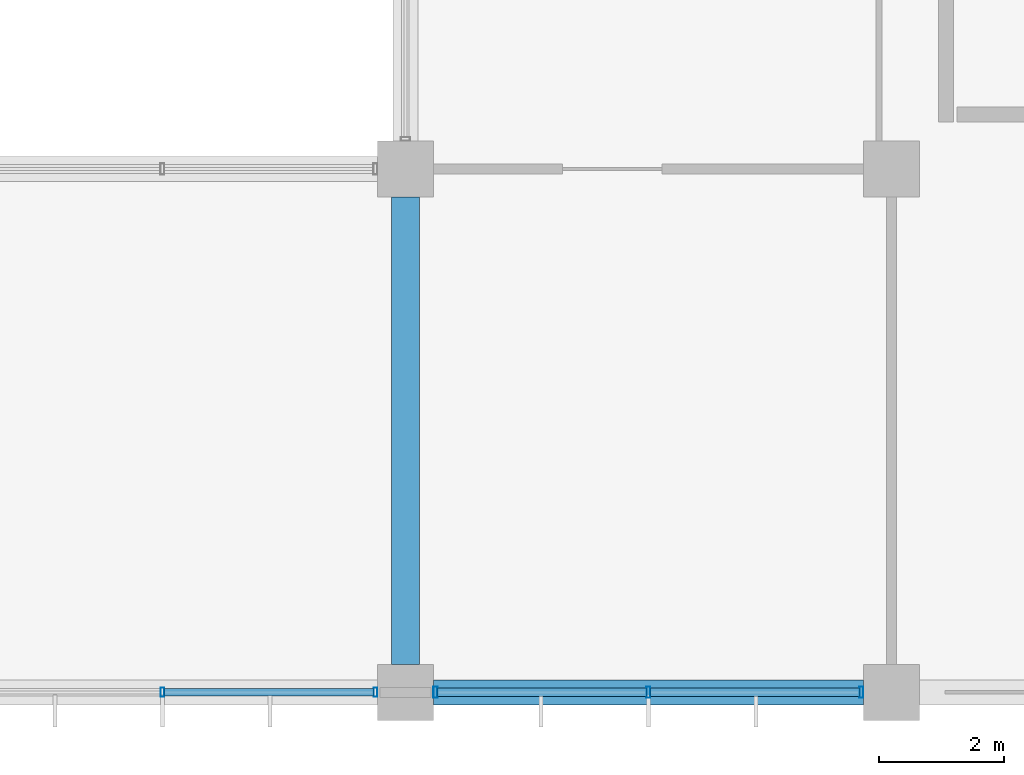
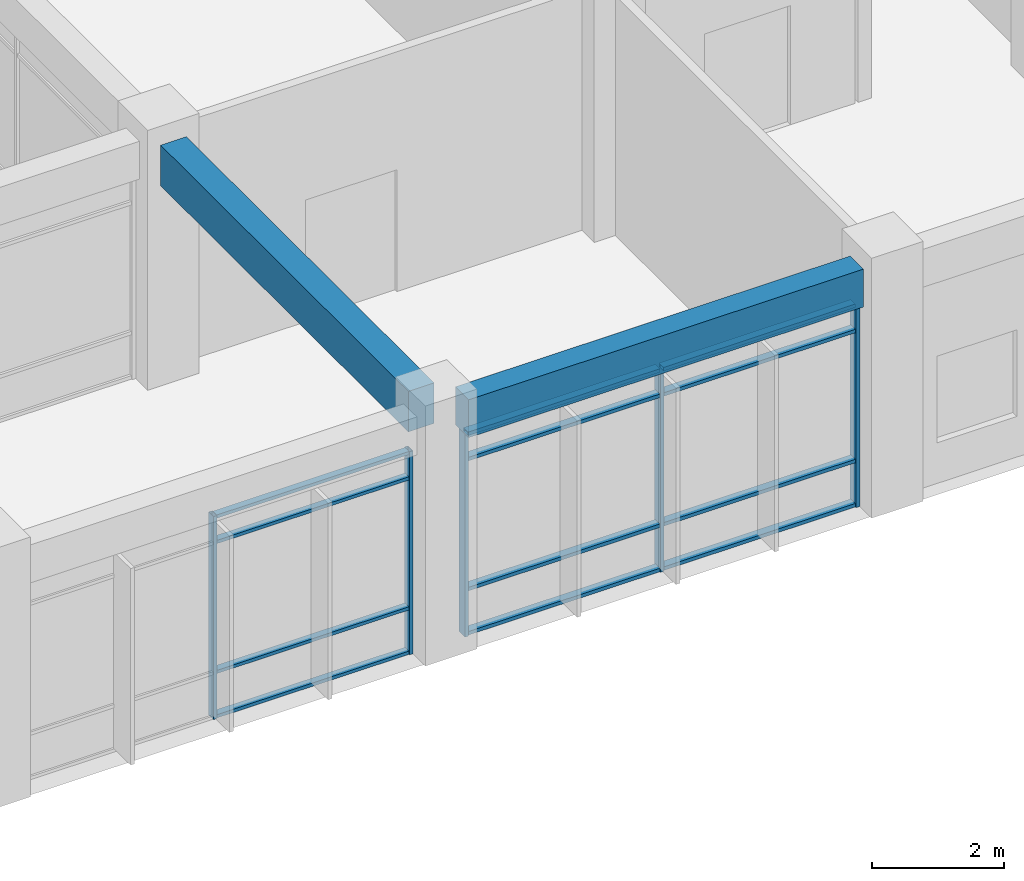
# One storey, part 35 of 79: 17 members, 2 beams, 2 elements without a shape of their own.
"""IFC4 building model written with IfcOpenShell, lengths in metres."""

from ifc_helpers import new_model, si_unit, direction, frame, origin, origin_2d, place, context, subcontext, project, spatial, rectangle, hollow_rectangle, extrude, material, material_profile, profile_set, type_object, element, aggregate, save


model = new_model("IFC4")

# Units and contexts
model_context = context("Model", 3, precision=1e-05, world=origin(), true_north=direction((0.0, 1.0)))
body_context = subcontext(model_context, "Body", "Model", "MODEL_VIEW")
ifc_project = project(units=[si_unit("LENGTHUNIT", "METRE"), si_unit("AREAUNIT", "SQUARE_METRE"), si_unit("VOLUMEUNIT", "CUBIC_METRE"), si_unit("PLANEANGLEUNIT", "RADIAN"), si_unit("MASSUNIT", "GRAM", prefix="KILO"), si_unit("THERMODYNAMICTEMPERATUREUNIT", "KELVIN"), si_unit("POWERUNIT", "WATT")], contexts=[model_context])

# Site, building, storey
site_placement = place(None, origin())
site = spatial("IfcSite", under=ifc_project, at=site_placement, CompositionType="ELEMENT")
building_placement = place(site_placement, origin())
building = spatial("IfcBuilding", under=site, at=building_placement, Name="Srebrne Nadtorze General Hospital", CompositionType="ELEMENT")
storey_placement = place(building_placement, frame((0.0, 0.0, 4.800048828125)))
storey = spatial("IfcBuildingStorey", under=building, at=storey_placement, Name="L01", CompositionType="ELEMENT", Elevation=4.800048828125)

# Curtain wall, members
ifc_material_1 = material(Name="Anodised Aluminium", Category="aluminium")
curtain_wall_type = type_object("IfcCurtainWallType", Name="Unitised curtain wall 6900x3750", PredefinedType="NOTDEFINED", material=ifc_material_1)
curtain_wall_1_placement = place(storey_placement, origin())
curtain_wall_1 = element("IfcCurtainWall", 1, at=curtain_wall_1_placement, inside=storey, type_object=curtain_wall_type, Name="Curtain wall CW-038", PredefinedType="NOTDEFINED")
ifc_material_2 = material(Name="Anodised Aluminium", Category="aluminium")
ifc_material_profile_1 = material_profile(ifc_material_2, hollow_rectangle(XDim=0.06005859375, YDim=0.14990234375, WallThickness=0.00390625, at=origin_2d()), Name="AL-MUL-60x150")
ifc_profile_set_1 = profile_set([ifc_material_profile_1], Name="Anodised Aluminium")
member_type_1 = type_object("IfcMemberType", Name="Curtain mullion 60x150", PredefinedType="MULLION", material=ifc_profile_set_1)
member_1_placement = place(storey_placement, frame((128.699951171875, 0.0, 0.0), z_axis=(0.0, 0.0, 1.0), x_axis=(1.0, 0.0, 0.0)))
member_1 = element("IfcMember", 2, at=member_1_placement, type_object=member_type_1, Name="CW-038 mullion 2", PredefinedType="MULLION", context=body_context, shape_type="SweptSolid", body=[
    extrude(hollow_rectangle(XDim=0.06005859375, YDim=0.14990234375, WallThickness=0.00390625, at=origin_2d()), origin(), (0.0, 0.0, 1.0), 3.75),
])
member_2_placement = place(storey_placement, frame((132.1201171875, 0.0, 0.0), z_axis=(0.0, 0.0, 1.0), x_axis=(1.0, 0.0, 0.0)))
member_2 = element("IfcMember", 3, at=member_2_placement, type_object=member_type_1, Name="CW-038 mullion 3", PredefinedType="MULLION", context=body_context, shape_type="SweptSolid", body=[
    extrude(hollow_rectangle(XDim=0.06005859375, YDim=0.14990234375, WallThickness=0.00390625, at=origin_2d()), origin(), (0.0, 0.0, 1.0), 3.75),
])

curtain_wall_2_placement = place(storey_placement, origin())
curtain_wall_2 = element("IfcCurtainWall", 4, at=curtain_wall_2_placement, inside=storey, type_object=curtain_wall_type, Name="Curtain wall CW-039", PredefinedType="NOTDEFINED")
ifc_material_3 = material(Name="Anodised Aluminium", Category="aluminium")
ifc_material_profile_2 = material_profile(ifc_material_3, hollow_rectangle(XDim=0.06494140625, YDim=0.179931640625, WallThickness=0.00390625, at=origin_2d()), Name="AL-MUL-65x180")
ifc_profile_set_2 = profile_set([ifc_material_profile_2], Name="Anodised Aluminium")
member_type_2 = type_object("IfcMemberType", Name="Curtain mullion 65x180", PredefinedType="MULLION", material=ifc_profile_set_2)
member_3_placement = place(storey_placement, frame((133.08251953125, 0.0, 0.0), z_axis=(0.0, 0.0, 1.0), x_axis=(1.0, 0.0, 0.0)))
member_3 = element("IfcMember", 5, at=member_3_placement, type_object=member_type_2, Name="CW-039 mullion 1", PredefinedType="MULLION", context=body_context, shape_type="SweptSolid", body=[
    extrude(hollow_rectangle(XDim=0.06494140625, YDim=0.179931640625, WallThickness=0.00390625, at=origin_2d()), origin(), (0.0, 0.0, 1.0), 3.75),
])
member_4_placement = place(storey_placement, frame((136.5, 0.0, 0.0), z_axis=(0.0, 0.0, 1.0), x_axis=(1.0, 0.0, 0.0)))
member_4 = element("IfcMember", 6, at=member_4_placement, type_object=member_type_2, Name="CW-039 mullion 2", PredefinedType="MULLION", context=body_context, shape_type="SweptSolid", body=[
    extrude(hollow_rectangle(XDim=0.06494140625, YDim=0.179931640625, WallThickness=0.00390625, at=origin_2d()), origin(), (0.0, 0.0, 1.0), 3.75),
])
member_5_placement = place(storey_placement, frame((139.91748046875, 0.0, 0.0), z_axis=(0.0, 0.0, 1.0), x_axis=(1.0, 0.0, 0.0)))
member_5 = element("IfcMember", 7, at=member_5_placement, type_object=member_type_2, Name="CW-039 mullion 3", PredefinedType="MULLION", context=body_context, shape_type="SweptSolid", body=[
    extrude(hollow_rectangle(XDim=0.06494140625, YDim=0.179931640625, WallThickness=0.00390625, at=origin_2d()), origin(), (0.0, 0.0, 1.0), 3.75),
])

# Member
ifc_material_4 = material(Name="Anodised Aluminium", Category="aluminium")
ifc_material_profile_3 = material_profile(ifc_material_4, hollow_rectangle(XDim=0.06005859375, YDim=0.1201171875, WallThickness=0.00390625, at=origin_2d()), Name="AL-TRN-60x120")
ifc_profile_set_3 = profile_set([ifc_material_profile_3], Name="Anodised Aluminium")
member_type_3 = type_object("IfcMemberType", Name="Curtain transom 60x120", PredefinedType="USERDEFINED", material=ifc_profile_set_3)
member_6_placement = place(storey_placement, frame((128.72998046875, 0.0, 0.030029296875), z_axis=(1.0, 0.0, 0.0), x_axis=(0.0, 0.0, 1.0)))
member_6 = element("IfcMember", 8, at=member_6_placement, type_object=member_type_3, Name="CW-038 transom 2.1", ObjectType="TRANSOM", PredefinedType="USERDEFINED", context=body_context, shape_type="SweptSolid", body=[
    extrude(hollow_rectangle(XDim=0.06005859375, YDim=0.1201171875, WallThickness=0.00390625, at=origin_2d()), origin(), (0.0, 0.0, 1.0), 3.360107421875),
])

member_7_placement = place(storey_placement, frame((128.72998046875, 0.0, 0.849853515625), z_axis=(1.0, 0.0, 0.0), x_axis=(0.0, 0.0, 1.0)))
member_7 = element("IfcMember", 9, at=member_7_placement, type_object=member_type_3, Name="CW-038 transom 2.2", ObjectType="TRANSOM", PredefinedType="USERDEFINED", context=body_context, shape_type="SweptSolid", body=[
    extrude(hollow_rectangle(XDim=0.06005859375, YDim=0.1201171875, WallThickness=0.00390625, at=origin_2d()), origin(), (0.0, 0.0, 1.0), 3.360107421875),
])

member_8_placement = place(storey_placement, frame((128.72998046875, 0.0, 3.25), z_axis=(1.0, 0.0, 0.0), x_axis=(0.0, 0.0, 1.0)))
member_8 = element("IfcMember", 10, at=member_8_placement, type_object=member_type_3, Name="CW-038 transom 2.3", ObjectType="TRANSOM", PredefinedType="USERDEFINED", context=body_context, shape_type="SweptSolid", body=[
    extrude(hollow_rectangle(XDim=0.06005859375, YDim=0.1201171875, WallThickness=0.00390625, at=origin_2d()), origin(), (0.0, 0.0, 1.0), 3.360107421875),
])

member_9_placement = place(storey_placement, frame((128.72998046875, 0.0, 3.719970703125), z_axis=(1.0, 0.0, 0.0), x_axis=(0.0, 0.0, 1.0)))
member_9 = element("IfcMember", 11, at=member_9_placement, type_object=member_type_3, Name="CW-038 transom 2.4", ObjectType="TRANSOM", PredefinedType="USERDEFINED", context=body_context, shape_type="SweptSolid", body=[
    extrude(hollow_rectangle(XDim=0.06005859375, YDim=0.1201171875, WallThickness=0.00390625, at=origin_2d()), origin(), (0.0, 0.0, 1.0), 3.360107421875),
])

aggregate(curtain_wall_1, [member_1, member_2, member_6, member_7, member_8, member_9])

ifc_material_5 = material(Name="Anodised Aluminium", Category="aluminium")
ifc_material_profile_4 = material_profile(ifc_material_5, hollow_rectangle(XDim=0.06494140625, YDim=0.139892578125, WallThickness=0.00390625, at=origin_2d()), Name="AL-TRN-65x140")
ifc_profile_set_4 = profile_set([ifc_material_profile_4], Name="Anodised Aluminium")
member_type_4 = type_object("IfcMemberType", Name="Curtain transom 65x140", PredefinedType="USERDEFINED", material=ifc_profile_set_4)
member_10_placement = place(storey_placement, frame((133.114990234375, 0.0, 0.032470703125), z_axis=(1.0, 0.0, 0.0), x_axis=(0.0, 0.0, 1.0)))
member_10 = element("IfcMember", 12, at=member_10_placement, type_object=member_type_4, Name="CW-039 transom 1.1", ObjectType="TRANSOM", PredefinedType="USERDEFINED", context=body_context, shape_type="SweptSolid", body=[
    extrude(hollow_rectangle(XDim=0.06494140625, YDim=0.139892578125, WallThickness=0.00390625, at=origin_2d()), origin(), (0.0, 0.0, 1.0), 3.3525390625),
])

member_11_placement = place(storey_placement, frame((133.114990234375, 0.0, 0.849853515625), z_axis=(1.0, 0.0, 0.0), x_axis=(0.0, 0.0, 1.0)))
member_11 = element("IfcMember", 13, at=member_11_placement, type_object=member_type_4, Name="CW-039 transom 1.2", ObjectType="TRANSOM", PredefinedType="USERDEFINED", context=body_context, shape_type="SweptSolid", body=[
    extrude(hollow_rectangle(XDim=0.06494140625, YDim=0.139892578125, WallThickness=0.00390625, at=origin_2d()), origin(), (0.0, 0.0, 1.0), 3.3525390625),
])

member_12_placement = place(storey_placement, frame((133.114990234375, 0.0, 3.25), z_axis=(1.0, 0.0, 0.0), x_axis=(0.0, 0.0, 1.0)))
member_12 = element("IfcMember", 14, at=member_12_placement, type_object=member_type_4, Name="CW-039 transom 1.3", ObjectType="TRANSOM", PredefinedType="USERDEFINED", context=body_context, shape_type="SweptSolid", body=[
    extrude(hollow_rectangle(XDim=0.06494140625, YDim=0.139892578125, WallThickness=0.00390625, at=origin_2d()), origin(), (0.0, 0.0, 1.0), 3.3525390625),
])

member_13_placement = place(storey_placement, frame((133.114990234375, 0.0, 3.717529296875), z_axis=(1.0, 0.0, 0.0), x_axis=(0.0, 0.0, 1.0)))
member_13 = element("IfcMember", 15, at=member_13_placement, type_object=member_type_4, Name="CW-039 transom 1.4", ObjectType="TRANSOM", PredefinedType="USERDEFINED", context=body_context, shape_type="SweptSolid", body=[
    extrude(hollow_rectangle(XDim=0.06494140625, YDim=0.139892578125, WallThickness=0.00390625, at=origin_2d()), origin(), (0.0, 0.0, 1.0), 3.3525390625),
])

member_14_placement = place(storey_placement, frame((136.532470703125, 0.0, 0.032470703125), z_axis=(1.0, 0.0, 0.0), x_axis=(0.0, 0.0, 1.0)))
member_14 = element("IfcMember", 16, at=member_14_placement, type_object=member_type_4, Name="CW-039 transom 2.1", ObjectType="TRANSOM", PredefinedType="USERDEFINED", context=body_context, shape_type="SweptSolid", body=[
    extrude(hollow_rectangle(XDim=0.06494140625, YDim=0.139892578125, WallThickness=0.00390625, at=origin_2d()), origin(), (0.0, 0.0, 1.0), 3.3525390625),
])

member_15_placement = place(storey_placement, frame((136.532470703125, 0.0, 0.849853515625), z_axis=(1.0, 0.0, 0.0), x_axis=(0.0, 0.0, 1.0)))
member_15 = element("IfcMember", 17, at=member_15_placement, type_object=member_type_4, Name="CW-039 transom 2.2", ObjectType="TRANSOM", PredefinedType="USERDEFINED", context=body_context, shape_type="SweptSolid", body=[
    extrude(hollow_rectangle(XDim=0.06494140625, YDim=0.139892578125, WallThickness=0.00390625, at=origin_2d()), origin(), (0.0, 0.0, 1.0), 3.3525390625),
])

member_16_placement = place(storey_placement, frame((136.532470703125, 0.0, 3.25), z_axis=(1.0, 0.0, 0.0), x_axis=(0.0, 0.0, 1.0)))
member_16 = element("IfcMember", 18, at=member_16_placement, type_object=member_type_4, Name="CW-039 transom 2.3", ObjectType="TRANSOM", PredefinedType="USERDEFINED", context=body_context, shape_type="SweptSolid", body=[
    extrude(hollow_rectangle(XDim=0.06494140625, YDim=0.139892578125, WallThickness=0.00390625, at=origin_2d()), origin(), (0.0, 0.0, 1.0), 3.3525390625),
])

member_17_placement = place(storey_placement, frame((136.532470703125, 0.0, 3.717529296875), z_axis=(1.0, 0.0, 0.0), x_axis=(0.0, 0.0, 1.0)))
member_17 = element("IfcMember", 19, at=member_17_placement, type_object=member_type_4, Name="CW-039 transom 2.4", ObjectType="TRANSOM", PredefinedType="USERDEFINED", context=body_context, shape_type="SweptSolid", body=[
    extrude(hollow_rectangle(XDim=0.06494140625, YDim=0.139892578125, WallThickness=0.00390625, at=origin_2d()), origin(), (0.0, 0.0, 1.0), 3.3525390625),
])

aggregate(curtain_wall_2, [member_3, member_4, member_5, member_10, member_11, member_12, member_13, member_14, member_15, member_16, member_17])

# Beams
ifc_material_6 = material(Name="Concrete C40/50", Category="concrete")
ifc_material_profile_5 = material_profile(ifc_material_6, rectangle(XDim=0.39990234375, YDim=0.699951171875, at=origin_2d()), Name="RC-BM-400x700")
ifc_profile_set_5 = profile_set([ifc_material_profile_5], Name="Concrete C40/50")
beam_type_1 = type_object("IfcBeamType", Name="Edge beam RC 400x700", PredefinedType="BEAM", material=ifc_profile_set_5)
beam_1_placement = place(storey_placement, frame((133.050048828125, 0.0, 4.099853515625), z_axis=(1.0, 0.0, 0.0), x_axis=(0.0, 1.0, 0.0)))
element("IfcBeam", 20, at=beam_1_placement, inside=storey, type_object=beam_type_1, Name="Beam BM-L01-X-0376", PredefinedType="BEAM", context=body_context, shape_type="SweptSolid", body=[
    extrude(rectangle(XDim=0.39990234375, YDim=0.699951171875, at=origin_2d()), origin(), (0.0, 0.0, 1.0), 6.89990234375),
])
ifc_material_7 = material(Name="Concrete C40/50", Category="concrete")
ifc_material_profile_6 = material_profile(ifc_material_7, rectangle(XDim=0.449951171875, YDim=0.75, at=origin_2d()), Name="RC-BM-450x750")
ifc_profile_set_6 = profile_set([ifc_material_profile_6], Name="Concrete C40/50")
beam_type_2 = type_object("IfcBeamType", Name="Primary beam RC 450x750", PredefinedType="BEAM", material=ifc_profile_set_6)
beam_2_placement = place(storey_placement, frame((132.60009765625, 0.449951171875, 4.074951171875), z_axis=(0.0, 1.0, 0.0), x_axis=(-1.0, 0.0, 0.0)))
element("IfcBeam", 21, at=beam_2_placement, inside=storey, type_object=beam_type_2, Name="Beam BM-L01-Y-0527", PredefinedType="BEAM", context=body_context, shape_type="SweptSolid", body=[
    extrude(rectangle(XDim=0.449951171875, YDim=0.75, at=origin_2d()), origin(), (0.0, 0.0, 1.0), 7.5),
])

save(model, "model.ifc")
